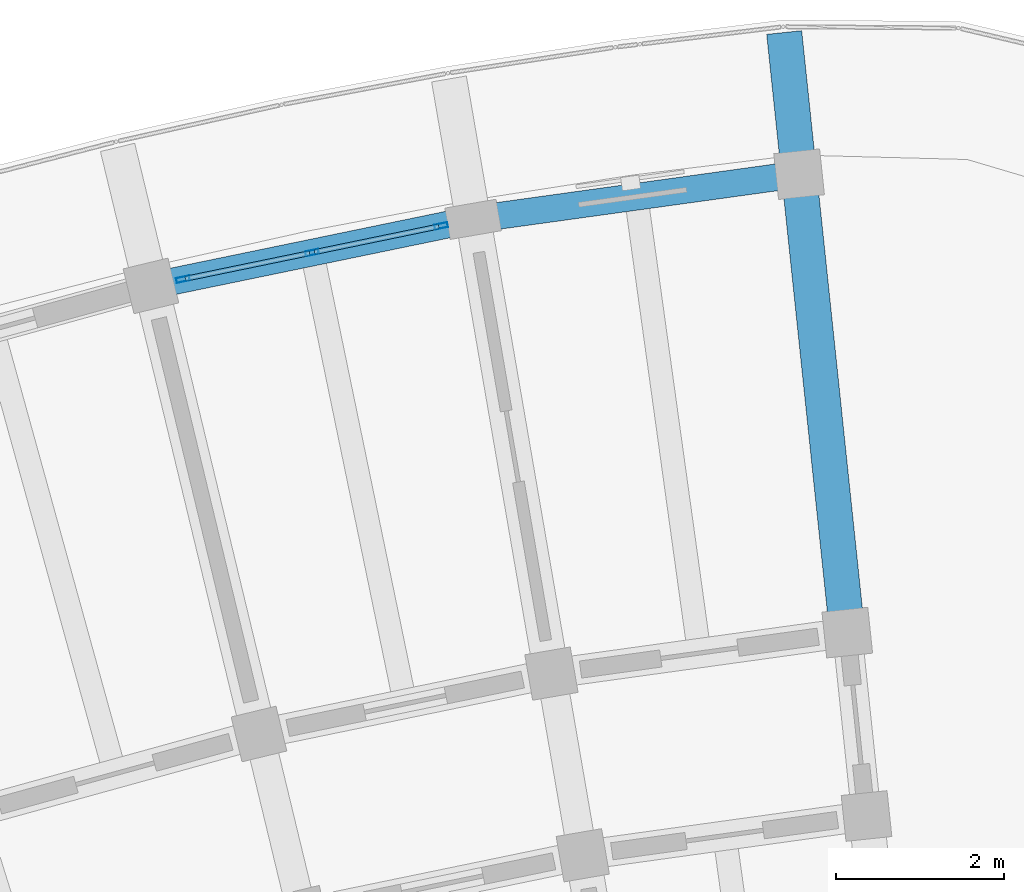
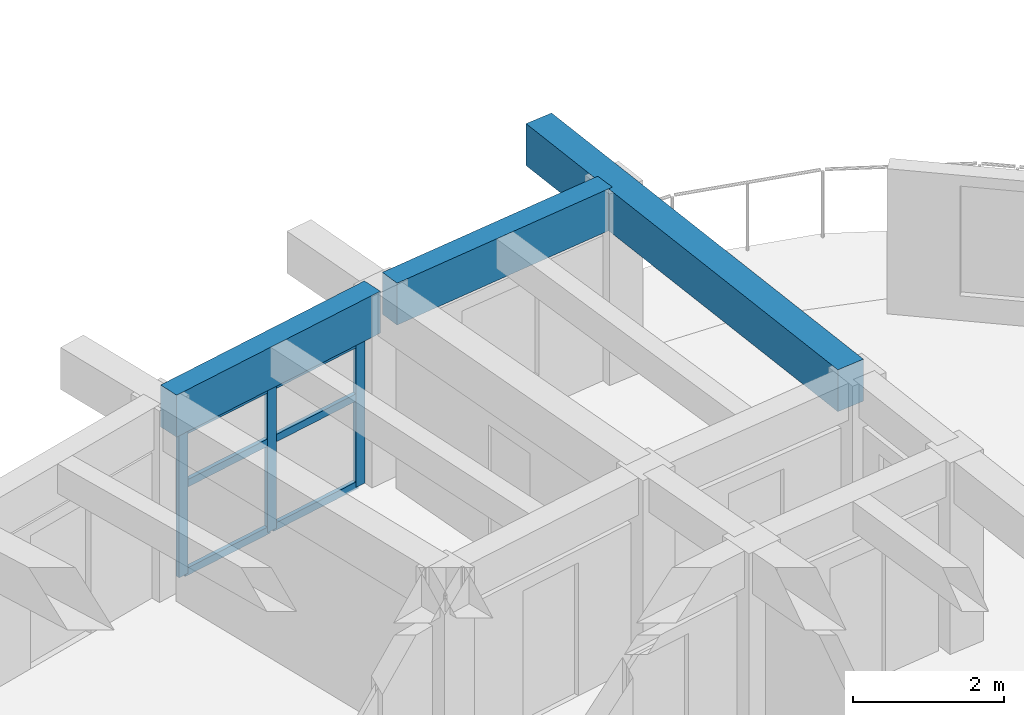
# One storey, part 23 of 96: 9 members, 3 beams, 1 element without a shape of its own.
"""IFC4 building model written with IfcOpenShell, lengths in metres."""

from ifc_helpers import new_model, si_unit, direction, frame, origin, origin_2d, place, context, subcontext, project, spatial, rectangle, hollow_rectangle, extrude, material, material_profile, profile_set, type_object, element, aggregate, save


model = new_model("IFC4")

# Units and contexts
model_context = context("Model", 3, precision=1e-05, world=origin(), true_north=direction((0.0, 1.0)))
body_context = subcontext(model_context, "Body", "Model", "MODEL_VIEW")
ifc_project = project(units=[si_unit("LENGTHUNIT", "METRE"), si_unit("AREAUNIT", "SQUARE_METRE"), si_unit("VOLUMEUNIT", "CUBIC_METRE"), si_unit("PLANEANGLEUNIT", "RADIAN"), si_unit("MASSUNIT", "GRAM", prefix="KILO")], contexts=[model_context])

# Site, building, storey
site_placement = place(None, origin())
site = spatial("IfcSite", under=ifc_project, at=site_placement, CompositionType="ELEMENT")
building_placement = place(site_placement, origin())
building = spatial("IfcBuilding", under=site, at=building_placement, Name="Tanwirah Colonnade Gardens", CompositionType="ELEMENT")
storey_placement = place(building_placement, frame((0.0, 0.0, 12.199951171875)))
storey = spatial("IfcBuildingStorey", under=building, at=storey_placement, Name="L03", CompositionType="ELEMENT", Elevation=12.199951171875)

# Beam
ifc_material_1 = material(Name="Precast concrete C45/55", Category="concrete")
ifc_material_profile_1 = material_profile(ifc_material_1, rectangle(XDim=0.419921875, YDim=0.679931640625, at=origin_2d()), Name="PC-BM 420x680")
ifc_profile_set_1 = profile_set([ifc_material_profile_1], Name="Precast concrete C45/55")
beam_type_1 = type_object("IfcBeamType", Name="BM-PC420", PredefinedType="BEAM", material=ifc_profile_set_1)
beam_placement = place(storey_placement, frame((59.33447265625, 114.10302734375, 2.76513671875), z_axis=(-0.104511730475, 0.994523653913, 0.0), x_axis=(-0.994523653913, -0.104511730475, 0.0)))
element("IfcBeam", 1, at=beam_placement, inside=storey, type_object=beam_type_1, Name="Block A L03 Outer Radial Precast Girder 0", PredefinedType="BEAM", context=body_context, shape_type="SweptSolid", body=[
    extrude(rectangle(XDim=0.419921875, YDim=0.679931640625, at=origin_2d()), origin(), (0.0, 0.0, 1.0), 7.050048828125),
])

# Curtain wall, members
ifc_material_2 = material(Name="Bronze-anodised aluminium and solar-control low-E glass", Category="aluminium")
curtain_wall_type = type_object("IfcCurtainWallType", Name="CW-LOB", PredefinedType="NOTDEFINED", material=ifc_material_2)
curtain_wall_placement = place(storey_placement, origin())
curtain_wall = element("IfcCurtainWall", 2, at=curtain_wall_placement, inside=storey, type_object=curtain_wall_type, Name="Curtain Wall CW-A-L03-OUT-01", PredefinedType="NOTDEFINED")
ifc_material_3 = material(Name="Bronze-anodised aluminium", Category="aluminium")
ifc_material_profile_2 = material_profile(ifc_material_3, hollow_rectangle(XDim=0.06005859375, YDim=0.159912109375, WallThickness=0.00390625, at=origin_2d()), Name="CW-MUL 60x160x4")
ifc_profile_set_2 = profile_set([ifc_material_profile_2], Name="Bronze-anodised aluminium")
member_type_1 = type_object("IfcMemberType", Name="CWM-60x160", PredefinedType="MULLION", material=ifc_profile_set_2)
member_1_placement = place(storey_placement, frame((54.5048828125, 118.80615234375, 0.0), z_axis=(0.0, 0.0, 1.0), x_axis=(0.202218047772, -0.979340523595, 0.0)))
member_1 = element("IfcMember", 3, at=member_1_placement, type_object=member_type_1, Name="CW-LOB mullion 1", PredefinedType="MULLION", context=body_context, shape_type="SweptSolid", body=[
    extrude(hollow_rectangle(XDim=0.06005859375, YDim=0.159912109375, WallThickness=0.00390625, at=origin_2d()), origin(), (0.0, 0.0, 1.0), 2.35498046875),
])
member_2_placement = place(storey_placement, frame((52.964599609375, 118.488037109375, 0.0), z_axis=(0.0, 0.0, 1.0), x_axis=(0.202218047772, -0.979340523595, 0.0)))
member_2 = element("IfcMember", 4, at=member_2_placement, type_object=member_type_1, Name="CW-LOB mullion 2", PredefinedType="MULLION", context=body_context, shape_type="SweptSolid", body=[
    extrude(hollow_rectangle(XDim=0.06005859375, YDim=0.159912109375, WallThickness=0.00390625, at=origin_2d()), origin(), (0.0, 0.0, 1.0), 2.35498046875),
])
member_3_placement = place(storey_placement, frame((51.424072265625, 118.169921875, 0.0), z_axis=(0.0, 0.0, 1.0), x_axis=(0.202218047772, -0.979340523595, 0.0)))
member_3 = element("IfcMember", 5, at=member_3_placement, type_object=member_type_1, Name="CW-LOB mullion 3", PredefinedType="MULLION", context=body_context, shape_type="SweptSolid", body=[
    extrude(hollow_rectangle(XDim=0.06005859375, YDim=0.159912109375, WallThickness=0.00390625, at=origin_2d()), origin(), (0.0, 0.0, 1.0), 2.35498046875),
])
ifc_material_profile_3 = material_profile(ifc_material_3, hollow_rectangle(XDim=0.06005859375, YDim=0.1201171875, WallThickness=0.00390625, at=origin_2d()), Name="CW-TRN 60x120x4")
ifc_profile_set_3 = profile_set([ifc_material_profile_3], Name="Bronze-anodised aluminium")
member_type_2 = type_object("IfcMemberType", Name="CWT-60x120", PredefinedType="USERDEFINED", material=ifc_profile_set_3)
member_4_placement = place(storey_placement, frame((54.475341796875, 118.800048828125, 0.030029296875), z_axis=(-0.979338742823, -0.202226671845, 0.0), x_axis=(0.202226671845, -0.979338742823, 0.0)))
member_4 = element("IfcMember", 6, at=member_4_placement, type_object=member_type_2, Name="CW-LOB transom 1.1", ObjectType="TRANSOM", PredefinedType="USERDEFINED", context=body_context, shape_type="SweptSolid", body=[
    extrude(hollow_rectangle(XDim=0.06005859375, YDim=0.1201171875, WallThickness=0.00390625, at=origin_2d()), origin(), (0.0, 0.0, 1.0), 1.5126953125),
])
member_5_placement = place(storey_placement, frame((54.475341796875, 118.800048828125, 1.460205078125), z_axis=(-0.979338742823, -0.202226671845, 0.0), x_axis=(0.202226671845, -0.979338742823, 0.0)))
member_5 = element("IfcMember", 7, at=member_5_placement, type_object=member_type_2, Name="CW-LOB transom 1.2", ObjectType="TRANSOM", PredefinedType="USERDEFINED", context=body_context, shape_type="SweptSolid", body=[
    extrude(hollow_rectangle(XDim=0.06005859375, YDim=0.1201171875, WallThickness=0.00390625, at=origin_2d()), origin(), (0.0, 0.0, 1.0), 1.5126953125),
])
member_6_placement = place(storey_placement, frame((54.475341796875, 118.800048828125, 2.324951171875), z_axis=(-0.979338742823, -0.202226671845, 0.0), x_axis=(0.202226671845, -0.979338742823, 0.0)))
member_6 = element("IfcMember", 8, at=member_6_placement, type_object=member_type_2, Name="CW-LOB transom 1.3", ObjectType="TRANSOM", PredefinedType="USERDEFINED", context=body_context, shape_type="SweptSolid", body=[
    extrude(hollow_rectangle(XDim=0.06005859375, YDim=0.1201171875, WallThickness=0.00390625, at=origin_2d()), origin(), (0.0, 0.0, 1.0), 1.5126953125),
])
member_7_placement = place(storey_placement, frame((52.93505859375, 118.48193359375, 0.030029296875), z_axis=(-0.979338742823, -0.202226671845, 0.0), x_axis=(0.202226671845, -0.979338742823, 0.0)))
member_7 = element("IfcMember", 9, at=member_7_placement, type_object=member_type_2, Name="CW-LOB transom 2.1", ObjectType="TRANSOM", PredefinedType="USERDEFINED", context=body_context, shape_type="SweptSolid", body=[
    extrude(hollow_rectangle(XDim=0.06005859375, YDim=0.1201171875, WallThickness=0.00390625, at=origin_2d()), origin(), (0.0, 0.0, 1.0), 1.5126953125),
])
member_8_placement = place(storey_placement, frame((52.93505859375, 118.48193359375, 1.460205078125), z_axis=(-0.979338742823, -0.202226671845, 0.0), x_axis=(0.202226671845, -0.979338742823, 0.0)))
member_8 = element("IfcMember", 10, at=member_8_placement, type_object=member_type_2, Name="CW-LOB transom 2.2", ObjectType="TRANSOM", PredefinedType="USERDEFINED", context=body_context, shape_type="SweptSolid", body=[
    extrude(hollow_rectangle(XDim=0.06005859375, YDim=0.1201171875, WallThickness=0.00390625, at=origin_2d()), origin(), (0.0, 0.0, 1.0), 1.5126953125),
])
member_9_placement = place(storey_placement, frame((52.93505859375, 118.48193359375, 2.324951171875), z_axis=(-0.979338742823, -0.202226671845, 0.0), x_axis=(0.202226671845, -0.979338742823, 0.0)))
member_9 = element("IfcMember", 11, at=member_9_placement, type_object=member_type_2, Name="CW-LOB transom 2.3", ObjectType="TRANSOM", PredefinedType="USERDEFINED", context=body_context, shape_type="SweptSolid", body=[
    extrude(hollow_rectangle(XDim=0.06005859375, YDim=0.1201171875, WallThickness=0.00390625, at=origin_2d()), origin(), (0.0, 0.0, 1.0), 1.5126953125),
])
aggregate(curtain_wall, [member_1, member_2, member_3, member_4, member_5, member_6, member_7, member_8, member_9])

# Beams
ifc_material_profile_4 = material_profile(ifc_material_1, rectangle(XDim=0.320068359375, YDim=0.679931640625, at=origin_2d()), Name="PC-SP 320x680")
ifc_profile_set_4 = profile_set([ifc_material_profile_4], Name="Precast concrete C45/55")
beam_type_2 = type_object("IfcBeamType", Name="SP-PC320", PredefinedType="SPANDREL", material=ifc_profile_set_4)
for number, where, z_axis, x_axis, name in (
    (12, (58.626708984375, 119.403076171875, 2.76513671875), (-0.990538603978, -0.137234376268, 0.0), (0.137234376268, -0.990538603978, 0.0), "Block A L03 Circumferential Beam 0-R3"),
    (13, (54.739990234375, 118.854736328125, 2.76513671875), (-0.979328544205, -0.202276055197, 0.0), (0.202276055197, -0.979328544205, 0.0), "Block A L03 Circumferential Beam 1-R3"),
):
    element("IfcBeam", number, at=place(storey_placement, frame(where, z_axis=z_axis, x_axis=x_axis)), inside=storey, type_object=beam_type_2, Name=name, PredefinedType="SPANDREL", context=body_context, shape_type="SweptSolid", body=[
        extrude(rectangle(XDim=0.320068359375, YDim=0.679931640625, at=origin_2d()), origin(), (0.0, 0.0, 1.0), 3.625732421875),
    ])

save(model, "model.ifc")
